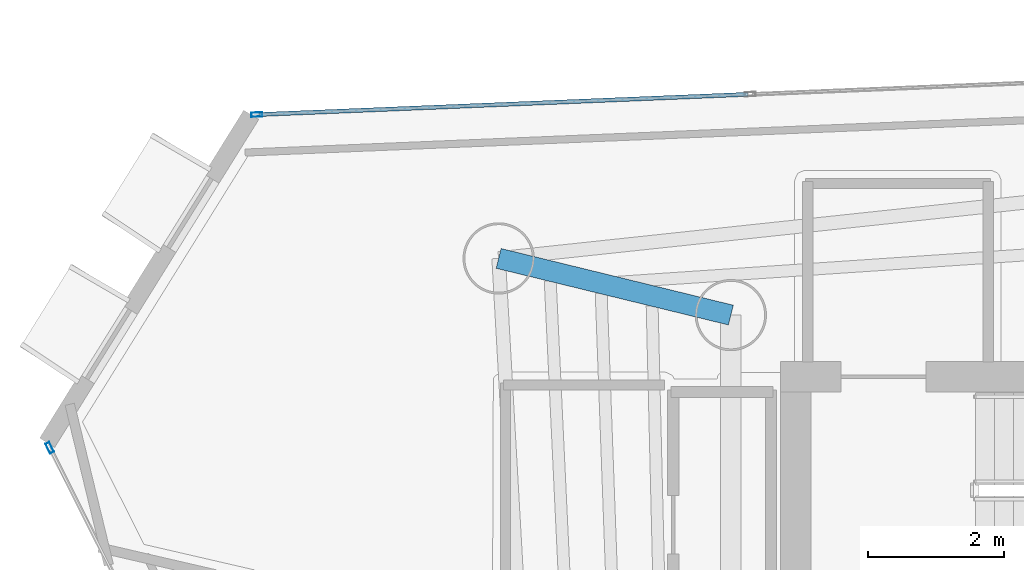
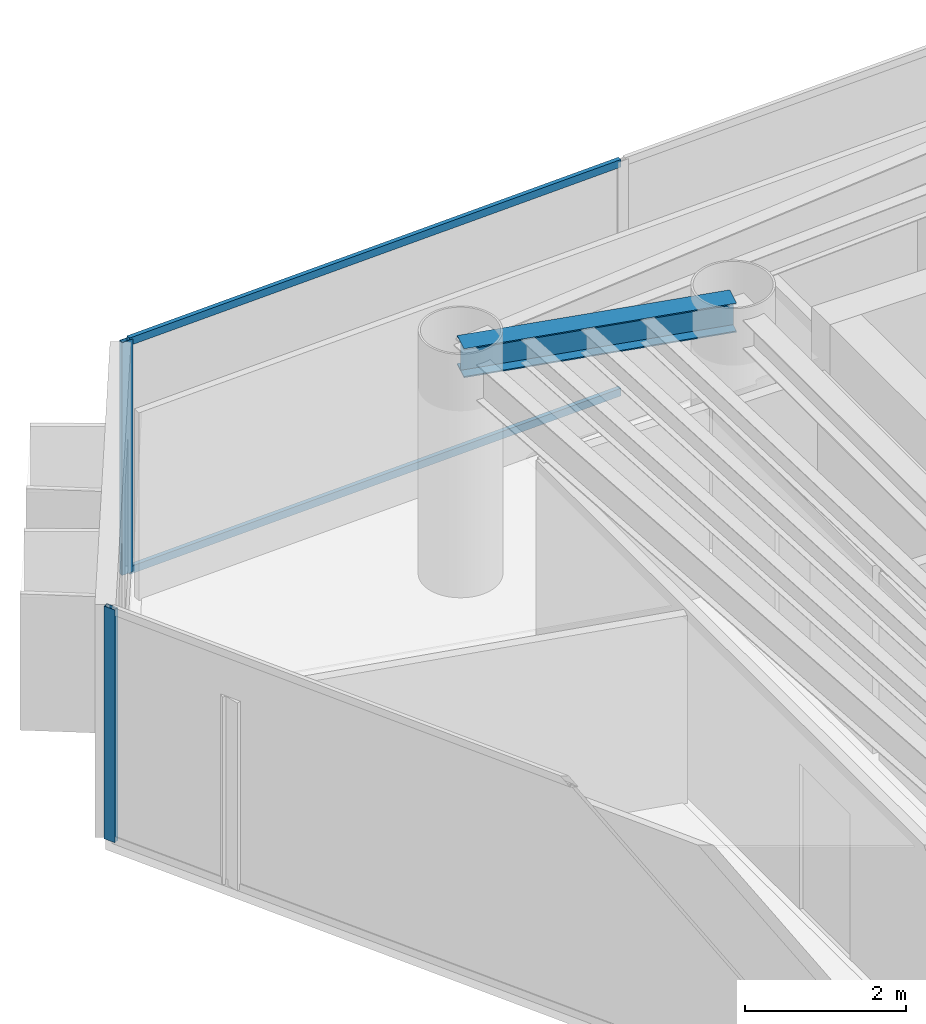
# One storey, part 8 of 19: 4 members, 1 beam, 2 elements without a shape of their own.
"""IFC4 building model written with IfcOpenShell, lengths in metres."""

from ifc_helpers import new_model, si_unit, direction, frame, origin, origin_2d, place, context, subcontext, project, spatial, hollow_rectangle, i_section, extrude, material, layer, layer_set, material_profile, profile_set, type_object, element, aggregate, save


model = new_model("IFC4")

# Units and contexts
model_context = context("Model", 3, precision=1e-05, world=origin(), true_north=direction((0.0, 1.0)))
body_context = subcontext(model_context, "Body", "Model", "MODEL_VIEW")
ifc_project = project(units=[si_unit("LENGTHUNIT", "METRE"), si_unit("AREAUNIT", "SQUARE_METRE"), si_unit("VOLUMEUNIT", "CUBIC_METRE"), si_unit("PLANEANGLEUNIT", "RADIAN"), si_unit("MASSUNIT", "GRAM", prefix="KILO")], contexts=[model_context])

# Site, building, storey
site_placement = place(None, origin())
site = spatial("IfcSite", under=ifc_project, at=site_placement, CompositionType="ELEMENT")
building_placement = place(site_placement, origin())
building = spatial("IfcBuilding", under=site, at=building_placement, Name="Qianvela Tower", CompositionType="ELEMENT")
storey_placement = place(building_placement, frame((0.0, 0.0, 261.199951171875)))
storey = spatial("IfcBuildingStorey", under=building, at=storey_placement, Name="L67", CompositionType="ELEMENT", Elevation=261.199951171875)

# Beam
ifc_material_1 = material(Name="Steel Q355B", Category="steel")
ifc_material_profile_1 = material_profile(ifc_material_1, i_section(OverallWidth=0.300048828125, OverallDepth=0.43994140625, WebThickness=0.010986328125, FlangeThickness=0.01806640625, at=origin_2d()), Name="HM440x300x11x18")
ifc_profile_set_1 = profile_set([ifc_material_profile_1], Name="Steel Q355B")
beam_type = type_object("IfcBeamType", Name="BM-HM440-COLL", PredefinedType="BEAM", material=ifc_profile_set_1)
beam_placement = place(storey_placement, frame((28.60009765625, 33.550048828125, 3.298095703125), z_axis=(-0.971502414323, 0.237029658405, 0.0), x_axis=(-0.237029658405, -0.971502414323, 0.0)))
element("IfcBeam", 1, at=beam_placement, inside=storey, type_object=beam_type, Name="L67 Radial Primary Floor Girder 3", PredefinedType="BEAM", context=body_context, shape_type="SweptSolid", body=[
    extrude(i_section(OverallWidth=0.300048828125, OverallDepth=0.43994140625, WebThickness=0.010986328125, FlangeThickness=0.01806640625, at=origin_2d()), origin(), (0.0, 0.0, 1.0), 3.5185546875),
])

# Curtain wall, member
ifc_material_2 = material(Name="Anodised Architectural Aluminium and Low-E Glass", Category="aluminium")
ifc_layer = layer(ifc_material_2, 0.159912109375)
ifc_layer_set = layer_set([ifc_layer], Name="Anodised Architectural Aluminium and Low-E Glass")
curtain_wall_type = type_object("IfcCurtainWallType", Name="CW-COLIV-Z56", PredefinedType="USERDEFINED", material=ifc_layer_set)
curtain_wall_1_placement = place(storey_placement, origin())
curtain_wall_1 = element("IfcCurtainWall", 2, at=curtain_wall_1_placement, inside=storey, type_object=curtain_wall_type, Name="L67 CW-COLIV-Z56 Curtain Wall 02C", ObjectType="CURTAIN_WALL_SYSTEM", PredefinedType="USERDEFINED")
ifc_material_3 = material(Name="Anodised Architectural Aluminium 6063-T6", Category="aluminium")
ifc_material_profile_2 = material_profile(ifc_material_3, hollow_rectangle(XDim=0.06494140625, YDim=0.159912109375, WallThickness=0.0048828125, at=origin_2d()), Name="ALU-MULL-65x160")
ifc_profile_set_2 = profile_set([ifc_material_profile_2], Name="Anodised Architectural Aluminium 6063-T6")
member_type_1 = type_object("IfcMemberType", Name="CW-COLIV-Z56-MULL", PredefinedType="MULLION", material=ifc_profile_set_2)
member_1_placement = place(storey_placement, frame((21.621826171875, 36.5009765625, 0.0), z_axis=(0.0, 0.0, 1.0), x_axis=(0.041299619949, -0.999146806727, 0.0)))
member_1 = element("IfcMember", 3, at=member_1_placement, type_object=member_type_1, Name="CW-5 mullion 3", PredefinedType="MULLION", context=body_context, shape_type="SweptSolid", body=[
    extrude(hollow_rectangle(XDim=0.06494140625, YDim=0.159912109375, WallThickness=0.0048828125, at=origin_2d()), origin(), (0.0, 0.0, 1.0), 3.52001953125),
])

curtain_wall_2_placement = place(storey_placement, origin())
curtain_wall_2 = element("IfcCurtainWall", 4, at=curtain_wall_2_placement, inside=storey, type_object=curtain_wall_type, Name="L67 CW-COLIV-Z56 Curtain Wall 04A", ObjectType="CURTAIN_WALL_SYSTEM", PredefinedType="USERDEFINED")
member_2_placement = place(storey_placement, frame((18.572998046875, 31.597412109375, 0.0), z_axis=(0.0, 0.0, 1.0), x_axis=(0.893215875141, 0.449628068959, 0.0)))
member_2 = element("IfcMember", 5, at=member_2_placement, type_object=member_type_1, Name="CW-5 mullion 1", PredefinedType="MULLION", context=body_context, shape_type="SweptSolid", body=[
    extrude(hollow_rectangle(XDim=0.06494140625, YDim=0.159912109375, WallThickness=0.0048828125, at=origin_2d()), origin(), (0.0, 0.0, 1.0), 3.52001953125),
])
aggregate(curtain_wall_2, [member_2])

# Member
ifc_material_4 = material(Name="Anodised Architectural Aluminium 6063-T6", Category="aluminium")
ifc_material_profile_3 = material_profile(ifc_material_4, hollow_rectangle(XDim=0.06005859375, YDim=0.114990234375, WallThickness=0.00390625, at=origin_2d()), Name="ALU-TRAN-60x115")
ifc_profile_set_3 = profile_set([ifc_material_profile_3], Name="Anodised Architectural Aluminium 6063-T6")
member_type_2 = type_object("IfcMemberType", Name="CW-COLIV-Z56-TRAN", PredefinedType="USERDEFINED", material=ifc_profile_set_3)
member_3_placement = place(storey_placement, frame((28.853271484375, 36.800048828125, 0.030029296875), z_axis=(-0.999146585516, -0.041304971267, 0.0), x_axis=(0.041304971267, -0.999146585516, 0.0)))
member_3 = element("IfcMember", 6, at=member_3_placement, type_object=member_type_2, Name="CW-5 transom 2.1", ObjectType="TRANSOM", PredefinedType="USERDEFINED", context=body_context, shape_type="SweptSolid", body=[
    extrude(hollow_rectangle(XDim=0.06005859375, YDim=0.114990234375, WallThickness=0.00390625, at=origin_2d()), origin(), (0.0, 0.0, 1.0), 7.205078125),
])

member_4_placement = place(storey_placement, frame((28.853271484375, 36.800048828125, 3.489990234375), z_axis=(-0.999146585516, -0.041304971267, 0.0), x_axis=(0.041304971267, -0.999146585516, 0.0)))
member_4 = element("IfcMember", 7, at=member_4_placement, type_object=member_type_2, Name="CW-5 transom 2.2", ObjectType="TRANSOM", PredefinedType="USERDEFINED", context=body_context, shape_type="SweptSolid", body=[
    extrude(hollow_rectangle(XDim=0.06005859375, YDim=0.114990234375, WallThickness=0.00390625, at=origin_2d()), origin(), (0.0, 0.0, 1.0), 7.205078125),
])

aggregate(curtain_wall_1, [member_1, member_3, member_4])

save(model, "model.ifc")
